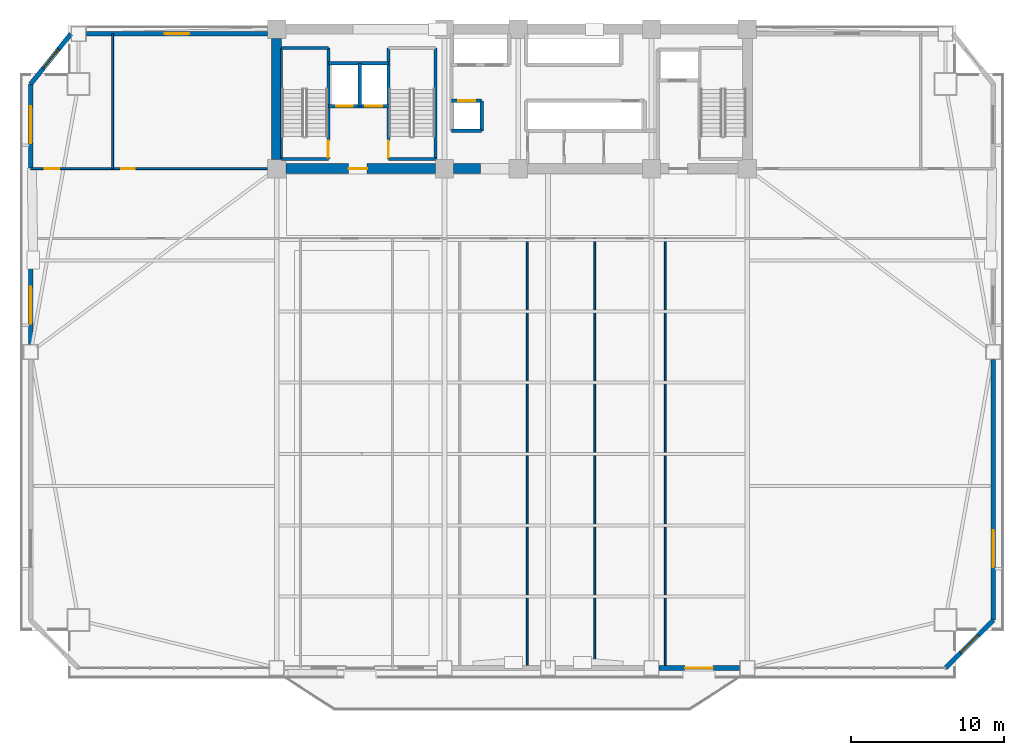
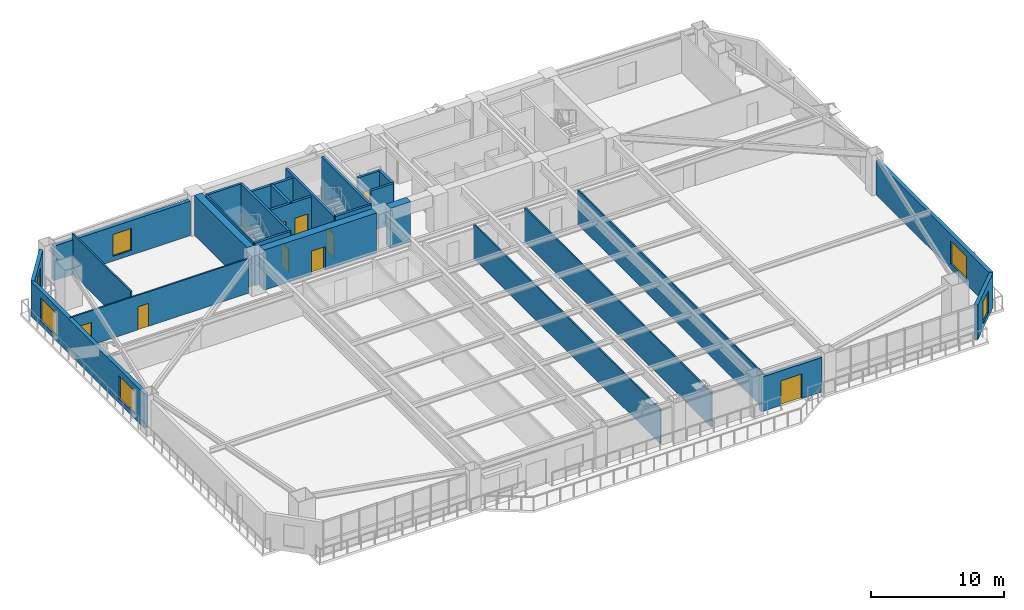
# One storey, part 10 of 18: 27 walls, 9 doors, 6 windows, 15 openings.
"""IFC4 building model written with IfcOpenShell, lengths in metres."""

from ifc_helpers import new_model, si_unit, direction, frame, frame_2d, origin, place, context, subcontext, project, spatial, rectangle, extrude, source, transform, mapped, material, layer, layer_set, type_object, element, fill, save


model = new_model("IFC4")

# Units and contexts
model_context = context("Model", 3, precision=1e-05, world=origin(), true_north=direction((0.0, 1.0)))
body_context = subcontext(model_context, "Body", "Model", "MODEL_VIEW")
ifc_project = project(units=[si_unit("LENGTHUNIT", "METRE"), si_unit("AREAUNIT", "SQUARE_METRE"), si_unit("VOLUMEUNIT", "CUBIC_METRE"), si_unit("PLANEANGLEUNIT", "RADIAN"), si_unit("MASSUNIT", "GRAM", prefix="KILO")], contexts=[model_context])

# Site, building, storey
site_placement = place(None, origin())
site = spatial("IfcSite", under=ifc_project, at=site_placement, CompositionType="ELEMENT")
building_placement = place(site_placement, origin())
building = spatial("IfcBuilding", under=site, at=building_placement, Name="Giltprow Tower", CompositionType="ELEMENT")
storey_placement = place(building_placement, frame((0.0, 0.0, 65.0)))
storey = spatial("IfcBuildingStorey", under=building, at=storey_placement, Name="L16", CompositionType="ELEMENT", Elevation=65.0)

# Wall, opening, window
ifc_material_1 = material(Name="Precast concrete C40", Category="concrete")
ifc_layer_1 = layer(ifc_material_1, 0.300048828125, Name="Precast concrete C40")
ifc_layer_set_1 = layer_set([ifc_layer_1], Name="Precast concrete C40")
wall_type_1 = type_object("IfcWallType", Name="EW-NOTCH-CHAMFER-300", PredefinedType="SOLIDWALL", material=ifc_layer_set_1)
wall_1_placement = place(storey_placement, frame((63.47412109375, 4.882080078125, 0.0), z_axis=(0.0, 0.0, 1.0), x_axis=(0.707106781187, 0.707106781187, 0.0)))
wall_1 = element("IfcWall", 1, at=wall_1_placement, inside=storey, type_object=wall_type_1, Name="L16 Corner Notch Wall SE", PredefinedType="SOLIDWALL", context=body_context, shape_type="SweptSolid", body=[
    extrude(rectangle(XDim=4.4150390625, YDim=0.300048828125, at=frame_2d((2.20751953125, 0.0))), origin(), (0.0, 0.0, 1.0), 3.159912109375),
])
opening_1_placement = place(wall_1_placement, frame((1.407958984375, 0.0, 0.449951171875)))
opening_1 = element("IfcOpeningElement", 2, at=opening_1_placement, cuts=wall_1, Name="Opening WN17", PredefinedType="OPENING", context=body_context, shape_type="SweptSolid", body=[
    extrude(rectangle(XDim=1.60009765625, YDim=2.0, at=frame_2d((0.800048828125, 1.0))), frame((0.0, 0.159912109375, 0.0), z_axis=(0.0, -1.0, 0.0), x_axis=(1.0, 0.0, 0.0)), (0.0, 0.0, 1.0), 0.320068359375),
])
ifc_material_2 = material(Name="Insulated glass", Category="glass")
window_type_1 = type_object("IfcWindowType", Name="WN-COR-1600x2000", PartitioningType="SINGLE_PANEL", PredefinedType="WINDOW", material=ifc_material_2)
shared_shape_1 = source(origin(), body_context, "Body", "SweptSolid", [
    extrude(rectangle(XDim=1.60009765625, YDim=2.0, at=frame_2d((0.800048828125, 1.0))), frame((0.0, 0.030029296875, 0.0), z_axis=(0.0, -1.0, 0.0), x_axis=(1.0, 0.0, 0.0)), (0.0, 0.0, 1.0), 0.06005859375),
])
window_1_placement = place(opening_1_placement, origin())
window_1 = element("IfcWindow", 3, at=window_1_placement, inside=storey, type_object=window_type_1, Name="L16 Corner Notch Window SE", OverallHeight=2.0, OverallWidth=1.60009765625, PartitioningType="SINGLE_PANEL", PredefinedType="WINDOW", context=body_context, shape_type="MappedRepresentation", body=[
    mapped(shared_shape_1, transform((0.0, 0.0, 0.0), x_axis=(1.0, 0.0, 0.0), y_axis=(0.0, 1.0, 0.0), z_axis=(0.0, 0.0, 1.0), scale=1.0)),
])
fill(opening_1, window_1)

wall_2_placement = place(storey_placement, frame((6.427001953125, 46.25, 0.0), z_axis=(0.0, 0.0, 1.0), x_axis=(-0.625348097159, -0.780345921614, 0.0)))
wall_2 = element("IfcWall", 4, at=wall_2_placement, inside=storey, type_object=wall_type_1, Name="L16 Corner Notch Wall NW", PredefinedType="SOLIDWALL", context=body_context, shape_type="SweptSolid", body=[
    extrude(rectangle(XDim=4.19287109375, YDim=0.300048828125, at=frame_2d((2.096435546875, 0.0))), origin(), (0.0, 0.0, 1.0), 3.159912109375),
])
opening_2_placement = place(wall_2_placement, frame((1.2958984375, 0.0, 0.449951171875)))
opening_2 = element("IfcOpeningElement", 5, at=opening_2_placement, cuts=wall_2, Name="Opening WN17", PredefinedType="OPENING", context=body_context, shape_type="SweptSolid", body=[
    extrude(rectangle(XDim=1.60009765625, YDim=2.0, at=frame_2d((0.800048828125, 1.0))), frame((0.0, 0.159912109375, 0.0), z_axis=(0.0, -1.0, 0.0), x_axis=(1.0, 0.0, 0.0)), (0.0, 0.0, 1.0), 0.320068359375),
])
window_2_placement = place(opening_2_placement, origin())
window_2 = element("IfcWindow", 6, at=window_2_placement, inside=storey, type_object=window_type_1, Name="L16 Corner Notch Window NW", OverallHeight=2.0, OverallWidth=1.60009765625, PartitioningType="SINGLE_PANEL", PredefinedType="WINDOW", context=body_context, shape_type="MappedRepresentation", body=[
    mapped(shared_shape_1, transform((0.0, 0.0, 0.0), x_axis=(1.0, 0.0, 0.0), y_axis=(0.0, 1.0, 0.0), z_axis=(0.0, 0.0, 1.0), scale=1.0)),
])
fill(opening_2, window_2)

# Wall, opening, door
ifc_layer_2 = layer(ifc_material_1, 0.320068359375, Name="Precast concrete C40")
ifc_layer_set_2 = layer_set([ifc_layer_2], Name="Precast concrete C40")
wall_type_2 = type_object("IfcWallType", Name="EW-TOW-STONE-320", PredefinedType="SOLIDWALL", material=ifc_layer_set_2)
wall_3_placement = place(storey_placement, frame((44.800048828125, 4.882080078125, 0.0), z_axis=(0.0, 0.0, 1.0), x_axis=(1.0, 0.0, 0.0)))
wall_3 = element("IfcWall", 7, at=wall_3_placement, inside=storey, type_object=wall_type_2, Name="L16 South Expressed Frame Wall 5", PredefinedType="SOLIDWALL", context=body_context, shape_type="SweptSolid", body=[
    extrude(rectangle(XDim=5.25, YDim=0.320068359375, at=frame_2d((2.625, 0.0))), origin(), (0.0, 0.0, 1.0), 3.159912109375),
])
opening_3_placement = place(wall_3_placement, frame((1.699951171875, 0.0, 0.0)))
opening_3 = element("IfcOpeningElement", 8, at=opening_3_placement, cuts=wall_3, Name="Opening ED25", PredefinedType="OPENING", context=body_context, shape_type="SweptSolid", body=[
    extrude(rectangle(XDim=1.800048828125, YDim=2.25, at=frame_2d((0.89990234375, 1.125))), frame((0.0, 0.169921875, 0.0), z_axis=(0.0, -1.0, 0.0), x_axis=(1.0, 0.0, 0.0)), (0.0, 0.0, 1.0), 0.340087890625),
])
ifc_material_3 = material(Name="Anodized bronze and glass", Category="glass")
door_type_1 = type_object("IfcDoorType", Name="DR-BALC-SLIDE-1800", OperationType="SLIDING_TO_LEFT", PredefinedType="DOOR", material=ifc_material_3)
shared_shape_2 = source(origin(), body_context, "Body", "SweptSolid", [
    extrude(rectangle(XDim=1.800048828125, YDim=2.25, at=frame_2d((0.89990234375, 1.125))), frame((0.0, 0.02490234375, 0.0), z_axis=(0.0, -1.0, 0.0), x_axis=(1.0, 0.0, 0.0)), (0.0, 0.0, 1.0), 0.050048828125),
])
door_1_placement = place(opening_3_placement, origin())
door_1 = element("IfcDoor", 9, at=door_1_placement, inside=storey, type_object=door_type_1, Name="L16 Waterfront Balcony Sliding Door 2", OperationType="SLIDING_TO_LEFT", OverallHeight=2.25, OverallWidth=1.800048828125, PredefinedType="DOOR", context=body_context, shape_type="MappedRepresentation", body=[
    mapped(shared_shape_2, transform((0.0, 0.0, 0.0), x_axis=(1.0, 0.0, 0.0), y_axis=(0.0, 1.0, 0.0), z_axis=(0.0, 0.0, 1.0), scale=1.0)),
])
fill(opening_3, door_1)

# Wall, openings, windows
wall_4_placement = place(storey_placement, frame((3.804931640625, 25.990966796875, 0.0), z_axis=(0.0, 0.0, 1.0), x_axis=(0.0, 1.0, 0.0)))
wall_4 = element("IfcWall", 10, at=wall_4_placement, inside=storey, type_object=wall_type_2, Name="L16 W Wing Masonry Wall 2", PredefinedType="SOLIDWALL", context=body_context, shape_type="SweptSolid", body=[
    extrude(rectangle(XDim=16.987060546875, YDim=0.320068359375, at=frame_2d((8.49365234375, 0.0))), origin(), (0.0, 0.0, 1.0), 3.159912109375),
])
opening_4_placement = place(wall_4_placement, frame((1.35302734375, 0.0, 0.449951171875)))
opening_4 = element("IfcOpeningElement", 11, at=opening_4_placement, cuts=wall_4, Name="Opening WN29", PredefinedType="OPENING", context=body_context, shape_type="SweptSolid", body=[
    extrude(rectangle(XDim=2.39990234375, YDim=2.10009765625, at=frame_2d((1.199951171875, 1.050048828125))), frame((0.0, 0.169921875, 0.0), z_axis=(0.0, -1.0, 0.0), x_axis=(1.0, 0.0, 0.0)), (0.0, 0.0, 1.0), 0.340087890625),
])
opening_5_placement = place(wall_4_placement, frame((13.116943359375, 0.0, 0.449951171875)))
opening_5 = element("IfcOpeningElement", 12, at=opening_5_placement, cuts=wall_4, Name="Opening WN29", PredefinedType="OPENING", context=body_context, shape_type="SweptSolid", body=[
    extrude(rectangle(XDim=2.39990234375, YDim=2.10009765625, at=frame_2d((1.199951171875, 1.050048828125))), frame((0.0, 0.169921875, 0.0), z_axis=(0.0, -1.0, 0.0), x_axis=(1.0, 0.0, 0.0)), (0.0, 0.0, 1.0), 0.340087890625),
])
window_type_2 = type_object("IfcWindowType", Name="WN-OFF-2400x2100", PartitioningType="DOUBLE_PANEL_VERTICAL", PredefinedType="WINDOW", material=ifc_material_2)
shared_shape_3 = source(origin(), body_context, "Body", "SweptSolid", [
    extrude(rectangle(XDim=2.39990234375, YDim=2.10009765625, at=frame_2d((1.199951171875, 1.050048828125))), frame((0.0, 0.030029296875, 0.0), z_axis=(0.0, -1.0, 0.0), x_axis=(1.0, 0.0, 0.0)), (0.0, 0.0, 1.0), 0.06005859375),
])
window_3_placement = place(opening_4_placement, origin())
window_3 = element("IfcWindow", 13, at=window_3_placement, inside=storey, type_object=window_type_2, Name="L16 W Wing Window 2-1", OverallHeight=2.10009765625, OverallWidth=2.39990234375, PartitioningType="SINGLE_PANEL", PredefinedType="WINDOW", context=body_context, shape_type="MappedRepresentation", body=[
    mapped(shared_shape_3, transform((0.0, 0.0, 0.0), x_axis=(1.0, 0.0, 0.0), y_axis=(0.0, 1.0, 0.0), z_axis=(0.0, 0.0, 1.0), scale=1.0)),
])
fill(opening_4, window_3)
window_4_placement = place(opening_5_placement, origin())
window_4 = element("IfcWindow", 14, at=window_4_placement, inside=storey, type_object=window_type_2, Name="L16 W Wing Window 2-2", OverallHeight=2.10009765625, OverallWidth=2.39990234375, PartitioningType="SINGLE_PANEL", PredefinedType="WINDOW", context=body_context, shape_type="MappedRepresentation", body=[
    mapped(shared_shape_3, transform((0.0, 0.0, 0.0), x_axis=(1.0, 0.0, 0.0), y_axis=(0.0, 1.0, 0.0), z_axis=(0.0, 0.0, 1.0), scale=1.0)),
])
fill(opening_5, window_4)

# Wall, opening, window
wall_5_placement = place(storey_placement, frame((66.595947265625, 8.00390625, 0.0), z_axis=(0.0, 0.0, 1.0), x_axis=(0.0, 1.0, 0.0)))
wall_5 = element("IfcWall", 15, at=wall_5_placement, inside=storey, type_object=wall_type_2, Name="L16 E Wing Masonry Wall 1", PredefinedType="SOLIDWALL", context=body_context, shape_type="SweptSolid", body=[
    extrude(rectangle(XDim=16.987060546875, YDim=0.320068359375, at=frame_2d((8.49365234375, 0.0))), origin(), (0.0, 0.0, 1.0), 3.159912109375),
])
opening_6_placement = place(wall_5_placement, frame((3.45703125, 0.0, 0.449951171875)))
opening_6 = element("IfcOpeningElement", 16, at=opening_6_placement, cuts=wall_5, Name="Opening WN29", PredefinedType="OPENING", context=body_context, shape_type="SweptSolid", body=[
    extrude(rectangle(XDim=2.39990234375, YDim=2.10009765625, at=frame_2d((1.199951171875, 1.050048828125))), frame((0.0, 0.169921875, 0.0), z_axis=(0.0, -1.0, 0.0), x_axis=(1.0, 0.0, 0.0)), (0.0, 0.0, 1.0), 0.340087890625),
])
window_5_placement = place(opening_6_placement, origin())
window_5 = element("IfcWindow", 17, at=window_5_placement, inside=storey, type_object=window_type_2, Name="L16 E Wing Window 1-1A", OverallHeight=2.10009765625, OverallWidth=2.39990234375, PartitioningType="SINGLE_PANEL", PredefinedType="WINDOW", context=body_context, shape_type="MappedRepresentation", body=[
    mapped(shared_shape_3, transform((0.0, 0.0, 0.0), x_axis=(1.0, 0.0, 0.0), y_axis=(0.0, 1.0, 0.0), z_axis=(0.0, 0.0, 1.0), scale=1.0)),
])
fill(opening_6, window_5)

wall_6_placement = place(storey_placement, frame((7.427001953125, 46.25, 0.0), z_axis=(0.0, 0.0, 1.0), x_axis=(1.0, 0.0, 0.0)))
wall_6 = element("IfcWall", 18, at=wall_6_placement, inside=storey, type_object=wall_type_2, Name="L16 North-West Wing Wall", PredefinedType="SOLIDWALL", context=body_context, shape_type="SweptSolid", body=[
    extrude(rectangle(XDim=11.822998046875, YDim=0.320068359375, at=frame_2d((5.91162109375, 0.0))), origin(), (0.0, 0.0, 1.0), 3.159912109375),
])
opening_7_placement = place(wall_6_placement, frame((5.112060546875, 0.0, 0.449951171875)))
opening_7 = element("IfcOpeningElement", 19, at=opening_7_placement, cuts=wall_6, Name="Opening WN17", PredefinedType="OPENING", context=body_context, shape_type="SweptSolid", body=[
    extrude(rectangle(XDim=1.60009765625, YDim=2.0, at=frame_2d((0.800048828125, 1.0))), frame((0.0, 0.169921875, 0.0), z_axis=(0.0, -1.0, 0.0), x_axis=(1.0, 0.0, 0.0)), (0.0, 0.0, 1.0), 0.340087890625),
])
window_6_placement = place(opening_7_placement, origin())
window_6 = element("IfcWindow", 20, at=window_6_placement, inside=storey, type_object=window_type_1, Name="L16 North-West Window", OverallHeight=2.0, OverallWidth=1.60009765625, PartitioningType="SINGLE_PANEL", PredefinedType="WINDOW", context=body_context, shape_type="MappedRepresentation", body=[
    mapped(shared_shape_1, transform((0.0, 0.0, 0.0), x_axis=(1.0, 0.0, 0.0), y_axis=(0.0, 1.0, 0.0), z_axis=(0.0, 0.0, 1.0), scale=1.0)),
])
fill(opening_7, window_6)

# Walls
ifc_material_4 = material(Name="Gypsum stud partition", Category="gypsum")
ifc_layer_3 = layer(ifc_material_4, 0.1201171875, Name="Gypsum stud partition")
ifc_layer_set_3 = layer_set([ifc_layer_3], Name="Gypsum stud partition")
wall_type_3 = type_object("IfcWallType", Name="IW-ROOM-120", PredefinedType="PARTITIONING", material=ifc_layer_set_3)
for number, where, z_axis, x_axis, name in (
    (21, (36.199951171875, 4.882080078125, 0.0), (0.0, 0.0, 1.0), (0.0, 1.0, 0.0), "L16 Office Partition 4"),
    (22, (40.60009765625, 4.882080078125, 0.0), (0.0, 0.0, 1.0), (0.0, 1.0, 0.0), "L16 Office Partition 5"),
    (23, (45.199951171875, 4.882080078125, 0.0), (0.0, 0.0, 1.0), (0.0, 1.0, 0.0), "L16 Office Partition 6"),
):
    element("IfcWall", number, at=place(storey_placement, frame(where, z_axis=z_axis, x_axis=x_axis)), inside=storey, type_object=wall_type_3, Name=name, PredefinedType="PARTITIONING", context=body_context, shape_type="SweptSolid", body=[
        extrude(rectangle(XDim=28.017822265625, YDim=0.1201171875, at=frame_2d((14.0087890625, 0.0))), origin(), (0.0, 0.0, 1.0), 3.1650390625),
    ])

# Wall, openings, doors
ifc_material_5 = material(Name="Concrete C40", Category="concrete")
ifc_layer_4 = layer(ifc_material_5, 0.219970703125, Name="Concrete C40")
ifc_layer_set_4 = layer_set([ifc_layer_4], Name="Concrete C40")
wall_type_4 = type_object("IfcWallType", Name="IW-SHAFT-220", PredefinedType="SOLIDWALL", material=ifc_layer_set_4)
wall_7_placement = place(storey_placement, frame((23.219970703125, 41.52001953125, 0.0), z_axis=(0.0, 0.0, 1.0), x_axis=(1.0, 0.0, 0.0)))
wall_7 = element("IfcWall", 24, at=wall_7_placement, inside=storey, type_object=wall_type_4, Name="L16 FFL1 and Service Lift Front Wall", PredefinedType="SOLIDWALL", context=body_context, shape_type="SweptSolid", body=[
    extrude(rectangle(XDim=3.919921875, YDim=0.219970703125, at=frame_2d((1.9599609375, 0.0))), origin(), (0.0, 0.0, 1.0), 3.679931640625),
])
opening_8_placement = place(wall_7_placement, frame((0.5, 0.0, 0.0)))
opening_8 = element("IfcOpeningElement", 25, at=opening_8_placement, cuts=wall_7, Name="Opening LD-11", PredefinedType="OPENING", context=body_context, shape_type="SweptSolid", body=[
    extrude(rectangle(XDim=1.10009765625, YDim=2.199951171875, at=frame_2d((0.550048828125, 1.10009765625))), frame((0.0, 0.119873046875, 0.0), z_axis=(0.0, -1.0, 0.0), x_axis=(1.0, 0.0, 0.0)), (0.0, 0.0, 1.0), 0.239990234375),
])
opening_9_placement = place(wall_7_placement, frame((2.39990234375, 0.0, 0.0)))
opening_9 = element("IfcOpeningElement", 26, at=opening_9_placement, cuts=wall_7, Name="Opening LD-11", PredefinedType="OPENING", context=body_context, shape_type="SweptSolid", body=[
    extrude(rectangle(XDim=1.10009765625, YDim=2.199951171875, at=frame_2d((0.550048828125, 1.10009765625))), frame((0.0, 0.119873046875, 0.0), z_axis=(0.0, -1.0, 0.0), x_axis=(1.0, 0.0, 0.0)), (0.0, 0.0, 1.0), 0.239990234375),
])
ifc_material_6 = material(Name="Stainless steel", Category="steel")
door_type_2 = type_object("IfcDoorType", Name="DR-LIFT-LD1100", OperationType="SLIDING_TO_LEFT", PredefinedType="DOOR", material=ifc_material_6)
shared_shape_4 = source(origin(), body_context, "Body", "SweptSolid", [
    extrude(rectangle(XDim=1.10009765625, YDim=2.199951171875, at=frame_2d((0.550048828125, 1.10009765625))), frame((0.0, 0.02490234375, 0.0), z_axis=(0.0, -1.0, 0.0), x_axis=(1.0, 0.0, 0.0)), (0.0, 0.0, 1.0), 0.050048828125),
])
door_2_placement = place(opening_8_placement, origin())
door_2 = element("IfcDoor", 27, at=door_2_placement, inside=storey, type_object=door_type_2, Name="L16 FFL1 Landing Door", OperationType="SLIDING_TO_LEFT", OverallHeight=2.199951171875, OverallWidth=1.10009765625, PredefinedType="DOOR", context=body_context, shape_type="MappedRepresentation", body=[
    mapped(shared_shape_4, transform((0.0, 0.0, 0.0), x_axis=(1.0, 0.0, 0.0), y_axis=(0.0, 1.0, 0.0), z_axis=(0.0, 0.0, 1.0), scale=1.0)),
])
fill(opening_8, door_2)
door_3_placement = place(opening_9_placement, origin())
door_3 = element("IfcDoor", 28, at=door_3_placement, inside=storey, type_object=door_type_2, Name="L16 SVL1 Landing Door", OperationType="SLIDING_TO_LEFT", OverallHeight=2.199951171875, OverallWidth=1.10009765625, PredefinedType="DOOR", context=body_context, shape_type="MappedRepresentation", body=[
    mapped(shared_shape_4, transform((0.0, 0.0, 0.0), x_axis=(1.0, 0.0, 0.0), y_axis=(0.0, 1.0, 0.0), z_axis=(0.0, 0.0, 1.0), scale=1.0)),
])
fill(opening_9, door_3)

# Walls
wall_8_placement = place(storey_placement, frame((25.260009765625, 41.52001953125, 0.0), z_axis=(0.0, 0.0, 1.0), x_axis=(0.0, 1.0, 0.0)))
element("IfcWall", 29, at=wall_8_placement, inside=storey, type_object=wall_type_4, Name="L16 FFL1-SVL1 Shaft Divider", PredefinedType="SOLIDWALL", context=body_context, shape_type="SweptSolid", body=[
    extrude(rectangle(XDim=2.800048828125, YDim=0.219970703125, at=frame_2d((1.39990234375, 0.0))), origin(), (0.0, 0.0, 1.0), 3.679931640625),
])
wall_9_placement = place(storey_placement, frame((23.219970703125, 44.320068359375, 0.0), z_axis=(0.0, 0.0, 1.0), x_axis=(1.0, 0.0, 0.0)))
element("IfcWall", 30, at=wall_9_placement, inside=storey, type_object=wall_type_4, Name="L16 FFL1-SVL1 Back Shaft Wall", PredefinedType="SOLIDWALL", context=body_context, shape_type="SweptSolid", body=[
    extrude(rectangle(XDim=3.919921875, YDim=0.219970703125, at=frame_2d((1.9599609375, 0.0))), origin(), (0.0, 0.0, 1.0), 3.679931640625),
])

# Wall, opening, door
wall_10_placement = place(storey_placement, frame((31.25, 41.8798828125, 0.0), z_axis=(0.0, 0.0, 1.0), x_axis=(1.0, 0.0, 0.0)))
wall_10 = element("IfcWall", 31, at=wall_10_placement, inside=storey, type_object=wall_type_4, Name="L16 South West Lift Shaft Front Wall", PredefinedType="SOLIDWALL", context=body_context, shape_type="SweptSolid", body=[
    extrude(rectangle(XDim=1.969970703125, YDim=0.219970703125, at=frame_2d((0.98486328125, 0.0))), origin(), (0.0, 0.0, 1.0), 3.679931640625),
])
opening_10_placement = place(wall_10_placement, frame((0.4599609375, 0.0, 0.0)))
opening_10 = element("IfcOpeningElement", 32, at=opening_10_placement, cuts=wall_10, Name="Opening LD-11", PredefinedType="OPENING", context=body_context, shape_type="SweptSolid", body=[
    extrude(rectangle(XDim=1.10009765625, YDim=2.199951171875, at=frame_2d((0.550048828125, 1.10009765625))), frame((0.0, 0.119873046875, 0.0), z_axis=(0.0, -1.0, 0.0), x_axis=(1.0, 0.0, 0.0)), (0.0, 0.0, 1.0), 0.239990234375),
])
door_4_placement = place(opening_10_placement, origin())
door_4 = element("IfcDoor", 33, at=door_4_placement, inside=storey, type_object=door_type_2, Name="L16 PL-L3 Landing Door", OperationType="SLIDING_TO_LEFT", OverallHeight=2.199951171875, OverallWidth=1.10009765625, PredefinedType="DOOR", context=body_context, shape_type="MappedRepresentation", body=[
    mapped(shared_shape_4, transform((0.0, 0.0, 0.0), x_axis=(1.0, 0.0, 0.0), y_axis=(0.0, 1.0, 0.0), z_axis=(0.0, 0.0, 1.0), scale=1.0)),
])
fill(opening_10, door_4)

# Walls
wall_11_placement = place(storey_placement, frame((31.25, 39.919921875, 0.0), z_axis=(0.0, 0.0, 1.0), x_axis=(1.0, 0.0, 0.0)))
element("IfcWall", 34, at=wall_11_placement, inside=storey, type_object=wall_type_4, Name="L16 Low-Rise South Lift Back Wall", PredefinedType="SOLIDWALL", context=body_context, shape_type="SweptSolid", body=[
    extrude(rectangle(XDim=1.969970703125, YDim=0.219970703125, at=frame_2d((0.98486328125, 0.0))), origin(), (0.0, 0.0, 1.0), 3.679931640625),
])
wall_12_placement = place(storey_placement, frame((33.219970703125, 39.919921875, 0.0), z_axis=(0.0, 0.0, 1.0), x_axis=(0.0, 1.0, 0.0)))
element("IfcWall", 35, at=wall_12_placement, inside=storey, type_object=wall_type_4, Name="L16 Low-Rise South Lift East Closure", PredefinedType="SOLIDWALL", context=body_context, shape_type="SweptSolid", body=[
    extrude(rectangle(XDim=1.9599609375, YDim=0.219970703125, at=frame_2d((0.97998046875, 0.0))), origin(), (0.0, 0.0, 1.0), 3.679931640625),
])
ifc_material_7 = material(Name="Concrete C45", Category="concrete")
ifc_layer_5 = layer(ifc_material_7, 0.139892578125, Name="Concrete C45")
ifc_layer_set_5 = layer_set([ifc_layer_5], Name="Concrete C45")
wall_type_5 = type_object("IfcWallType", Name="IW-STAIR-140", PredefinedType="SOLIDWALL", material=ifc_layer_set_5)
wall_13_placement = place(storey_placement, frame((20.169921875, 38.070068359375, 0.0), z_axis=(0.0, 0.0, 1.0), x_axis=(0.0, 1.0, 0.0)))
element("IfcWall", 36, at=wall_13_placement, inside=storey, type_object=wall_type_5, Name="L16 Stair ST-1 West Bearing Wall", PredefinedType="SOLIDWALL", context=body_context, shape_type="SweptSolid", body=[
    extrude(rectangle(XDim=7.25, YDim=0.139892578125, at=frame_2d((3.625, 0.0))), origin(), (0.0, 0.0, 1.0), 3.89990234375),
])

# Wall, opening, door
ifc_layer_6 = layer(ifc_material_5, 0.199951171875, Name="Concrete C40")
ifc_layer_set_6 = layer_set([ifc_layer_6], Name="Concrete C40")
wall_type_6 = type_object("IfcWallType", Name="IW-STAIR-200", PredefinedType="SOLIDWALL", material=ifc_layer_set_6)
wall_14_placement = place(storey_placement, frame((23.219970703125, 38.070068359375, 0.0), z_axis=(0.0, 0.0, 1.0), x_axis=(0.0, 1.0, 0.0)))
wall_14 = element("IfcWall", 37, at=wall_14_placement, inside=storey, type_object=wall_type_6, Name="L16 Stair ST-1 East Bearing Wall", PredefinedType="SOLIDWALL", context=body_context, shape_type="SweptSolid", body=[
    extrude(rectangle(XDim=7.25, YDim=0.199951171875, at=frame_2d((3.625, 0.0))), origin(), (0.0, 0.0, 1.0), 3.89990234375),
])
opening_11_placement = place(wall_14_placement, frame((0.110107421875, 0.0, 0.0)))
opening_11 = element("IfcOpeningElement", 38, at=opening_11_placement, cuts=wall_14, Name="Opening ID33", PredefinedType="OPENING", context=body_context, shape_type="SweptSolid", body=[
    extrude(rectangle(XDim=1.10009765625, YDim=2.14990234375, at=frame_2d((0.550048828125, 1.074951171875))), frame((0.0, 0.10986328125, 0.0), z_axis=(0.0, -1.0, 0.0), x_axis=(1.0, 0.0, 0.0)), (0.0, 0.0, 1.0), 0.219970703125),
])
ifc_material_8 = material(Name="Steel fire leaf", Category="steel")
door_type_3 = type_object("IfcDoorType", Name="DR-STAIR-1100", OperationType="SINGLE_SWING_LEFT", PredefinedType="DOOR", material=ifc_material_8)
shared_shape_5 = source(origin(), body_context, "Body", "SweptSolid", [
    extrude(rectangle(XDim=1.10009765625, YDim=2.14990234375, at=frame_2d((0.550048828125, 1.074951171875))), frame((0.0, 0.02490234375, 0.0), z_axis=(0.0, -1.0, 0.0), x_axis=(1.0, 0.0, 0.0)), (0.0, 0.0, 1.0), 0.050048828125),
])
door_5_placement = place(opening_11_placement, origin())
door_5 = element("IfcDoor", 39, at=door_5_placement, inside=storey, type_object=door_type_3, Name="L16 Stair ST-1 Fire Door", OperationType="SINGLE_SWING_LEFT", OverallHeight=2.14990234375, OverallWidth=1.10009765625, PredefinedType="DOOR", context=body_context, shape_type="MappedRepresentation", body=[
    mapped(shared_shape_5, transform((0.0, 0.0, 0.0), x_axis=(1.0, 0.0, 0.0), y_axis=(0.0, 1.0, 0.0), z_axis=(0.0, 0.0, 1.0), scale=1.0)),
])
fill(opening_11, door_5)

# Walls
for number, where, z_axis, x_axis, name in (
    (40, (20.169921875, 45.320068359375, 0.0), (0.0, 0.0, 1.0), (1.0, 0.0, 0.0), "L16 Stair ST-1 North Bearing Wall"),
    (41, (20.169921875, 38.070068359375, 0.0), (0.0, 0.0, 1.0), (1.0, 0.0, 0.0), "L16 Stair ST-1 South Bearing Wall"),
):
    element("IfcWall", number, at=place(storey_placement, frame(where, z_axis=z_axis, x_axis=x_axis)), inside=storey, type_object=wall_type_6, Name=name, PredefinedType="SOLIDWALL", context=body_context, shape_type="SweptSolid", body=[
        extrude(rectangle(XDim=3.050048828125, YDim=0.199951171875, at=frame_2d((1.52490234375, 0.0))), origin(), (0.0, 0.0, 1.0), 3.89990234375),
    ])

# Wall, opening, door
wall_15_placement = place(storey_placement, frame((27.139892578125, 38.070068359375, 0.0), z_axis=(0.0, 0.0, 1.0), x_axis=(0.0, 1.0, 0.0)))
wall_15 = element("IfcWall", 42, at=wall_15_placement, inside=storey, type_object=wall_type_6, Name="L16 Stair ST-2 West Bearing Wall", PredefinedType="SOLIDWALL", context=body_context, shape_type="SweptSolid", body=[
    extrude(rectangle(XDim=7.25, YDim=0.199951171875, at=frame_2d((3.625, 0.0))), origin(), (0.0, 0.0, 1.0), 3.89990234375),
])
opening_12_placement = place(wall_15_placement, frame((0.110107421875, 0.0, 0.0)))
opening_12 = element("IfcOpeningElement", 43, at=opening_12_placement, cuts=wall_15, Name="Opening ID33", PredefinedType="OPENING", context=body_context, shape_type="SweptSolid", body=[
    extrude(rectangle(XDim=1.10009765625, YDim=2.14990234375, at=frame_2d((0.550048828125, 1.074951171875))), frame((0.0, 0.10986328125, 0.0), z_axis=(0.0, -1.0, 0.0), x_axis=(1.0, 0.0, 0.0)), (0.0, 0.0, 1.0), 0.219970703125),
])
door_6_placement = place(opening_12_placement, origin())
door_6 = element("IfcDoor", 44, at=door_6_placement, inside=storey, type_object=door_type_3, Name="L16 Stair ST-2 Fire Door", OperationType="SINGLE_SWING_RIGHT", OverallHeight=2.14990234375, OverallWidth=1.10009765625, PredefinedType="DOOR", context=body_context, shape_type="MappedRepresentation", body=[
    mapped(shared_shape_5, transform((0.0, 0.0, 0.0), x_axis=(1.0, 0.0, 0.0), y_axis=(0.0, 1.0, 0.0), z_axis=(0.0, 0.0, 1.0), scale=1.0)),
])
fill(opening_12, door_6)

# Walls
wall_16_placement = place(storey_placement, frame((30.219970703125, 38.070068359375, 0.0), z_axis=(0.0, 0.0, 1.0), x_axis=(0.0, 1.0, 0.0)))
element("IfcWall", 45, at=wall_16_placement, inside=storey, type_object=wall_type_6, Name="L16 Stair ST-2 East Bearing Wall", PredefinedType="SOLIDWALL", context=body_context, shape_type="SweptSolid", body=[
    extrude(rectangle(XDim=7.25, YDim=0.199951171875, at=frame_2d((3.625, 0.0))), origin(), (0.0, 0.0, 1.0), 3.89990234375),
])
wall_17_placement = place(storey_placement, frame((27.139892578125, 38.070068359375, 0.0), z_axis=(0.0, 0.0, 1.0), x_axis=(1.0, 0.0, 0.0)))
element("IfcWall", 46, at=wall_17_placement, inside=storey, type_object=wall_type_6, Name="L16 Stair ST-2 South Bearing Wall", PredefinedType="SOLIDWALL", context=body_context, shape_type="SweptSolid", body=[
    extrude(rectangle(XDim=3.080078125, YDim=0.199951171875, at=frame_2d((1.5400390625, 0.0))), origin(), (0.0, 0.0, 1.0), 3.89990234375),
])

# Wall, openings, doors
ifc_material_9 = material(Name="Concrete C30", Category="concrete")
ifc_layer_7 = layer(ifc_material_9, 0.1298828125, Name="Concrete C30")
ifc_layer_set_7 = layer_set([ifc_layer_7], Name="Concrete C30")
wall_type_7 = type_object("IfcWallType", Name="IW-WET-130", PredefinedType="PARTITIONING", material=ifc_layer_set_7)
wall_18_placement = place(storey_placement, frame((3.804931640625, 37.449951171875, 0.0), z_axis=(0.0, 0.0, 1.0), x_axis=(1.0, 0.0, 0.0)))
wall_18 = element("IfcWall", 47, at=wall_18_placement, inside=storey, type_object=wall_type_7, Name="L16 NW Wing South Wall", PredefinedType="PARTITIONING", context=body_context, shape_type="SweptSolid", body=[
    extrude(rectangle(XDim=15.445068359375, YDim=0.1298828125, at=frame_2d((7.72265625, 0.0))), origin(), (0.0, 0.0, 1.0), 3.1650390625),
])
opening_13_placement = place(wall_18_placement, frame((0.89990234375, 0.0, 0.0)))
opening_13 = element("IfcOpeningElement", 48, at=opening_13_placement, cuts=wall_18, Name="Opening ID11", PredefinedType="OPENING", context=body_context, shape_type="SweptSolid", body=[
    extrude(rectangle(XDim=0.949951171875, YDim=2.10009765625, at=frame_2d((0.47509765625, 1.050048828125))), frame((0.0, 0.074951171875, 0.0), z_axis=(0.0, -1.0, 0.0), x_axis=(1.0, 0.0, 0.0)), (0.0, 0.0, 1.0), 0.14990234375),
])
opening_14_placement = place(wall_18_placement, frame((5.89892578125, 0.0, 0.0)))
opening_14 = element("IfcOpeningElement", 49, at=opening_14_placement, cuts=wall_18, Name="Opening ID15", PredefinedType="OPENING", context=body_context, shape_type="SweptSolid", body=[
    extrude(rectangle(XDim=0.89990234375, YDim=2.10009765625, at=frame_2d((0.449951171875, 1.050048828125))), frame((0.0, 0.074951171875, 0.0), z_axis=(0.0, -1.0, 0.0), x_axis=(1.0, 0.0, 0.0)), (0.0, 0.0, 1.0), 0.14990234375),
])
ifc_material_10 = material(Name="Engineered timber", Category="wood")
door_type_4 = type_object("IfcDoorType", Name="DR-WC-900", OperationType="SINGLE_SWING_LEFT", PredefinedType="DOOR", material=ifc_material_10)
shared_shape_6 = source(origin(), body_context, "Body", "SweptSolid", [
    extrude(rectangle(XDim=0.89990234375, YDim=2.10009765625, at=frame_2d((0.449951171875, 1.050048828125))), frame((0.0, 0.02490234375, 0.0), z_axis=(0.0, -1.0, 0.0), x_axis=(1.0, 0.0, 0.0)), (0.0, 0.0, 1.0), 0.050048828125),
])
door_7_placement = place(opening_14_placement, origin())
door_7 = element("IfcDoor", 50, at=door_7_placement, inside=storey, type_object=door_type_4, Name="L16 NW Washroom Door", OperationType="SINGLE_SWING_LEFT", OverallHeight=2.10009765625, OverallWidth=0.89990234375, PredefinedType="DOOR", context=body_context, shape_type="MappedRepresentation", body=[
    mapped(shared_shape_6, transform((0.0, 0.0, 0.0), x_axis=(1.0, 0.0, 0.0), y_axis=(0.0, 1.0, 0.0), z_axis=(0.0, 0.0, 1.0), scale=1.0)),
])
fill(opening_14, door_7)
door_type_5 = type_object("IfcDoorType", Name="DR-ROOM-950", OperationType="SINGLE_SWING_RIGHT", PredefinedType="DOOR", material=ifc_material_10)
shared_shape_7 = source(origin(), body_context, "Body", "SweptSolid", [
    extrude(rectangle(XDim=0.949951171875, YDim=2.10009765625, at=frame_2d((0.47509765625, 1.050048828125))), frame((0.0, 0.02490234375, 0.0), z_axis=(0.0, -1.0, 0.0), x_axis=(1.0, 0.0, 0.0)), (0.0, 0.0, 1.0), 0.050048828125),
])
door_8_placement = place(opening_13_placement, origin())
door_8 = element("IfcDoor", 51, at=door_8_placement, inside=storey, type_object=door_type_5, Name="L16 West Tenant Office West Door", OperationType="SINGLE_SWING_RIGHT", OverallHeight=2.10009765625, OverallWidth=0.949951171875, PredefinedType="DOOR", context=body_context, shape_type="MappedRepresentation", body=[
    mapped(shared_shape_7, transform((0.0, 0.0, 0.0), x_axis=(1.0, 0.0, 0.0), y_axis=(0.0, 1.0, 0.0), z_axis=(0.0, 0.0, 1.0), scale=1.0)),
])
fill(opening_13, door_8)

# Wall
wall_19_placement = place(storey_placement, frame((9.154052734375, 37.449951171875, 0.0), z_axis=(0.0, 0.0, 1.0), x_axis=(0.0, 1.0, 0.0)))
element("IfcWall", 52, at=wall_19_placement, inside=storey, type_object=wall_type_7, Name="L16 NW Wing Divider", PredefinedType="PARTITIONING", context=body_context, shape_type="SweptSolid", body=[
    extrude(rectangle(XDim=8.800048828125, YDim=0.1298828125, at=frame_2d((4.39990234375, 0.0))), origin(), (0.0, 0.0, 1.0), 3.679931640625),
])

# Wall, opening, door
ifc_material_11 = material(Name="Concrete C60", Category="concrete")
ifc_layer_8 = layer(ifc_material_11, 0.64990234375, Name="Concrete C60")
ifc_layer_set_8 = layer_set([ifc_layer_8], Name="Concrete C60")
wall_type_8 = type_object("IfcWallType", Name="SW-INT-650-C60", PredefinedType="SHEAR", material=ifc_layer_set_8)
wall_20_placement = place(storey_placement, frame((20.449951171875, 37.449951171875, 0.0), z_axis=(0.0, 0.0, 1.0), x_axis=(1.0, 0.0, 0.0)))
wall_20 = element("IfcWall", 53, at=wall_20_placement, inside=storey, type_object=wall_type_8, Name="L16 South Rear Core Shear Wall West", PredefinedType="SHEAR", context=body_context, shape_type="SweptSolid", body=[
    extrude(rectangle(XDim=9.75, YDim=0.64990234375, at=frame_2d((4.875, 0.0))), origin(), (0.0, 0.0, 1.0), 3.679931640625),
])
opening_15_placement = place(wall_20_placement, frame((4.10009765625, 0.0, 0.0)))
opening_15 = element("IfcOpeningElement", 54, at=opening_15_placement, cuts=wall_20, Name="Opening ID19", PredefinedType="OPENING", context=body_context, shape_type="SweptSolid", body=[
    extrude(rectangle(XDim=1.199951171875, YDim=2.14990234375, at=frame_2d((0.60009765625, 1.074951171875))), frame((0.0, 0.3349609375, 0.0), z_axis=(0.0, -1.0, 0.0), x_axis=(1.0, 0.0, 0.0)), (0.0, 0.0, 1.0), 0.669921875),
])
door_type_6 = type_object("IfcDoorType", Name="DR-FFLOBBY-1200", OperationType="SINGLE_SWING_RIGHT", PredefinedType="DOOR", material=ifc_material_8)
shared_shape_8 = source(origin(), body_context, "Body", "SweptSolid", [
    extrude(rectangle(XDim=1.199951171875, YDim=2.14990234375, at=frame_2d((0.60009765625, 1.074951171875))), frame((0.0, 0.02490234375, 0.0), z_axis=(0.0, -1.0, 0.0), x_axis=(1.0, 0.0, 0.0)), (0.0, 0.0, 1.0), 0.050048828125),
])
door_9_placement = place(opening_15_placement, origin())
door_9 = element("IfcDoor", 55, at=door_9_placement, inside=storey, type_object=door_type_6, Name="L16 West Firefighting Lobby Entry Door", OperationType="SINGLE_SWING_RIGHT", OverallHeight=2.14990234375, OverallWidth=1.199951171875, PredefinedType="DOOR", context=body_context, shape_type="MappedRepresentation", body=[
    mapped(shared_shape_8, transform((0.0, 0.0, 0.0), x_axis=(1.0, 0.0, 0.0), y_axis=(0.0, 1.0, 0.0), z_axis=(0.0, 0.0, 1.0), scale=1.0)),
])
fill(opening_15, door_9)

# Walls
wall_21_placement = place(storey_placement, frame((31.39990234375, 37.449951171875, 0.0), z_axis=(0.0, 0.0, 1.0), x_axis=(1.0, 0.0, 0.0)))
element("IfcWall", 56, at=wall_21_placement, inside=storey, type_object=wall_type_8, Name="L16 South Rear Core Shear Wall Mid-West", PredefinedType="SHEAR", context=body_context, shape_type="SweptSolid", body=[
    extrude(rectangle(XDim=1.75, YDim=0.64990234375, at=frame_2d((0.875, 0.0))), origin(), (0.0, 0.0, 1.0), 3.679931640625),
])
wall_22_placement = place(storey_placement, frame((19.85009765625, 38.050048828125, 0.0), z_axis=(0.0, 0.0, 1.0), x_axis=(0.0, 1.0, 0.0)))
element("IfcWall", 57, at=wall_22_placement, inside=storey, type_object=wall_type_8, Name="L16 W Rear Core Shear Wall", PredefinedType="SHEAR", context=body_context, shape_type="SweptSolid", body=[
    extrude(rectangle(XDim=7.89990234375, YDim=0.64990234375, at=frame_2d((3.949951171875, 0.0))), origin(), (0.0, 0.0, 1.0), 3.679931640625),
])

save(model, "model.ifc")
